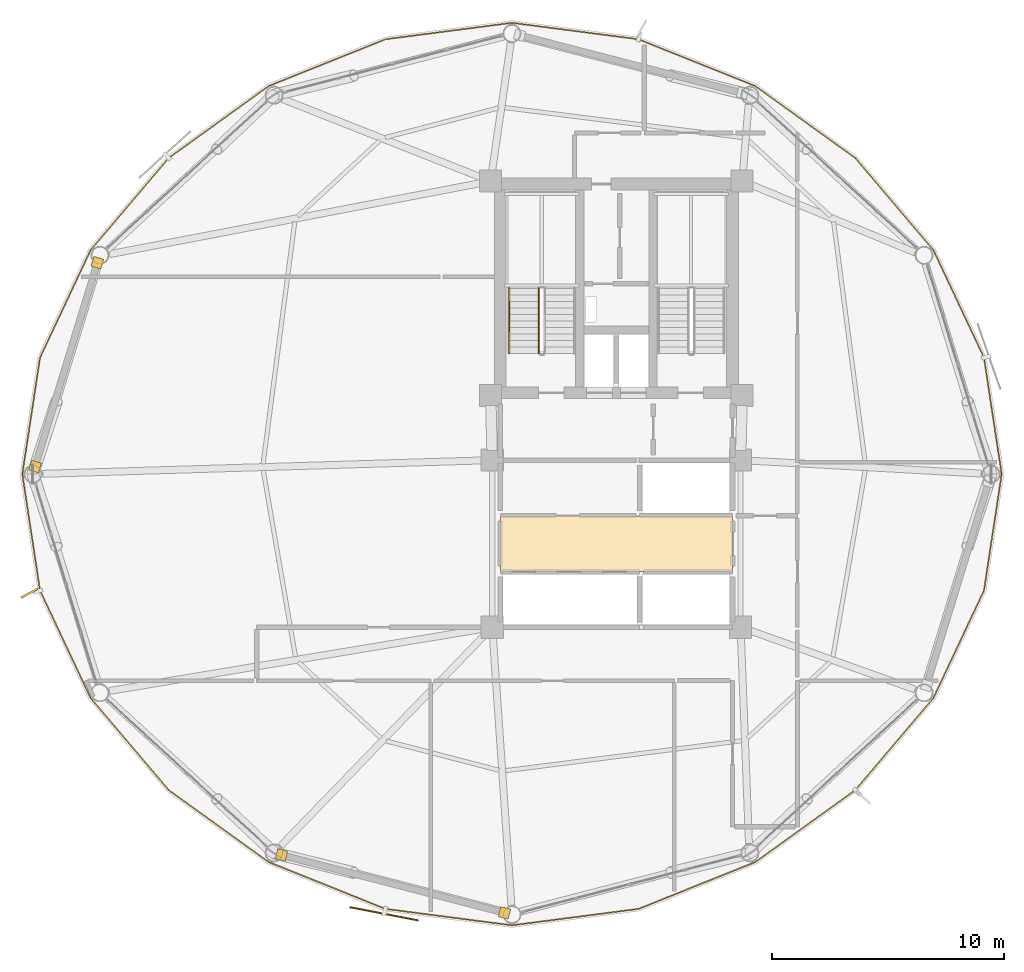
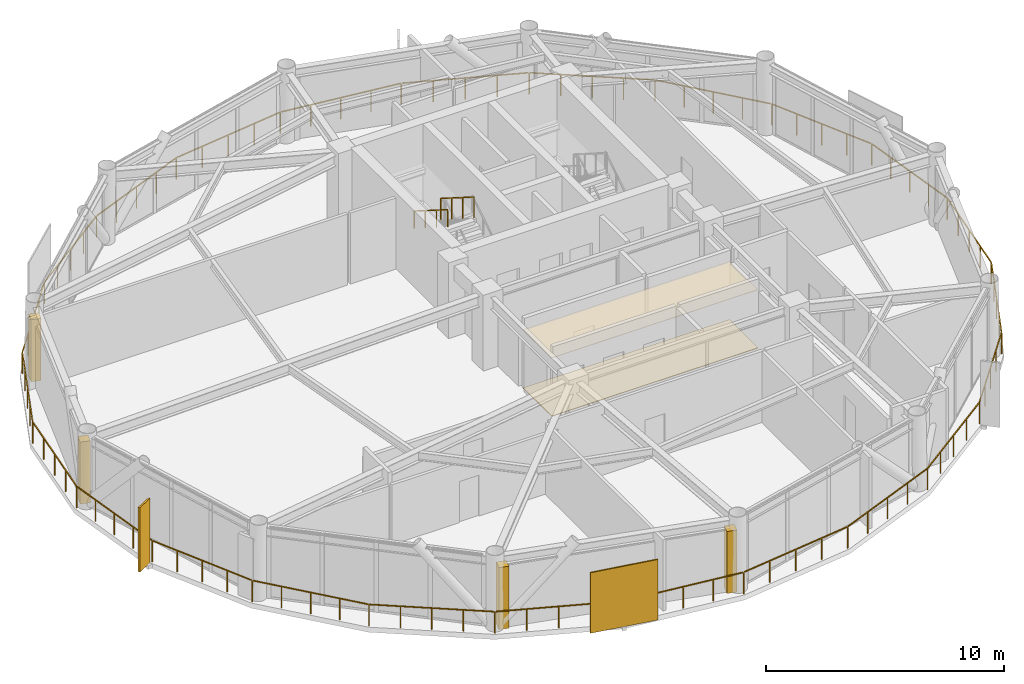
# One storey, part 23 of 25: 6 coverings, 3 railings, 2 shading devices.
"""IFC4 building model written with IfcOpenShell, lengths in metres."""

from ifc_helpers import new_model, si_unit, direction, frame, origin, origin_2d, place, context, subcontext, project, spatial, polyline, rectangle, outline, extrude, source, transform, mapped, material, layer, layer_set, type_object, type_shapes, element, save


model = new_model("IFC4")

# Units and contexts
model_context = context("Model", 3, precision=1e-05, world=origin(), true_north=direction((0.0, 1.0)))
body_context = subcontext(model_context, "Body", "Model", "MODEL_VIEW")
ifc_project = project(units=[si_unit("LENGTHUNIT", "METRE"), si_unit("AREAUNIT", "SQUARE_METRE"), si_unit("VOLUMEUNIT", "CUBIC_METRE"), si_unit("PLANEANGLEUNIT", "RADIAN"), si_unit("MASSUNIT", "GRAM", prefix="KILO")], contexts=[model_context])

# Site, building, storey
site_placement = place(None, origin())
site = spatial("IfcSite", under=ifc_project, at=site_placement, CompositionType="ELEMENT")
building_placement = place(site_placement, origin())
building = spatial("IfcBuilding", under=site, at=building_placement, Name="Varnakorn Sky Granary", CompositionType="ELEMENT")
storey_placement = place(building_placement, frame((0.0, 0.0, 157.800048828125)))
storey = spatial("IfcBuildingStorey", under=building, at=storey_placement, Name="L39", CompositionType="ELEMENT", Elevation=157.800048828125)

# Coverings
ifc_material_1 = material(Name="Perforated Acoustic Mineral-Fibre Ceiling", Category="gypsum")
ifc_layer_1 = layer(ifc_material_1, 0.02001953125, Name="Perforated Acoustic Mineral-Fibre Ceiling")
ifc_layer_set_1 = layer_set([ifc_layer_1], Name="Perforated Acoustic Mineral-Fibre Ceiling")
covering_type_1 = type_object("IfcCoveringType", Name="CV-CEIL-20", PredefinedType="CEILING", material=ifc_layer_set_1)
covering_1_placement = place(storey_placement, frame((0.0, 0.0, 2.989990234375)))
element("IfcCovering", 1, at=covering_1_placement, inside=storey, type_object=covering_type_1, Name="Lift Lobby Perforated Acoustic Ceiling L39", PredefinedType="CEILING", context=body_context, shape_type="SweptSolid", body=[
    extrude(outline(polyline([(-2.0, -4.199951171875), (8.0, -4.199951171875), (8.0, -1.800048828125), (-2.0, -1.800048828125), (-2.0, -4.199951171875)])), origin(), (0.0, 0.0, 1.0), 0.02001953125),
])
ifc_material_2 = material(Name="Honed Epoxy Terrazzo Topping", Category="concrete")
ifc_layer_2 = layer(ifc_material_2, 0.030029296875, Name="Honed Epoxy Terrazzo Topping")
ifc_layer_set_2 = layer_set([ifc_layer_2], Name="Honed Epoxy Terrazzo Topping")
covering_type_2 = type_object("IfcCoveringType", Name="CV-FLOR-30", PredefinedType="FLOORING", material=ifc_layer_set_2)
covering_2_placement = place(storey_placement, origin())
element("IfcCovering", 2, at=covering_2_placement, inside=storey, type_object=covering_type_2, Name="Lift Lobby Terrazzo Floor Finish L39", PredefinedType="FLOORING", context=body_context, shape_type="SweptSolid", body=[
    extrude(outline(polyline([(-2.0, -4.199951171875), (8.0, -4.199951171875), (8.0, -1.800048828125), (-2.0, -1.800048828125), (-2.0, -4.199951171875)])), origin(), (0.0, 0.0, 1.0), 0.030029296875),
])

# Railings
ifc_material_3 = material(Name="Anodised Bronze Aluminium Alloy 6063-T6", Category="aluminium")
railing_type_1 = type_object("IfcRailingType", Name="RL-BAL-1120", PredefinedType="BALUSTRADE", material=ifc_material_3)
railing_1_placement = place(storey_placement, frame((19.598876953125, 0.0, 0.0)))
element("IfcRailing", 3, at=railing_1_placement, inside=storey, type_object=railing_type_1, Name="Perimeter Slab-Edge Safety Guard L39", PredefinedType="BALUSTRADE", context=body_context, shape_type="SweptSolid", body=[
    extrude(rectangle(XDim=0.048095703125, YDim=0.048095703125, at=origin_2d()), frame((-0.004150390625, -0.027587890625, 1.09619140625), z_axis=(-0.150057632426, -0.988677251155, 0.0), x_axis=(0.988677251155, -0.150057632426, 0.0)), (0.0, 0.0, 1.0), 5.0185546875),
    extrude(rectangle(XDim=0.048095703125, YDim=0.048095703125, at=origin_2d()), frame((-0.7734375, -5.04248046875, 1.09619140625), z_axis=(-0.425721245528, -0.904854364584, 0.0), x_axis=(0.904854364584, -0.425721245528, 0.0)), (0.0, 0.0, 1.0), 5.0634765625),
    extrude(rectangle(XDim=0.048095703125, YDim=0.048095703125, at=origin_2d()), frame((-2.958984375, -9.670654296875, 1.09619140625), z_axis=(-0.646533270234, -0.762885791243, 0.0), x_axis=(0.762885791243, -0.646533270234, 0.0)), (0.0, 0.0, 1.0), 5.145751953125),
    extrude(rectangle(XDim=0.048095703125, YDim=0.048095703125, at=origin_2d()), frame((-6.32666015625, -13.634033203125, 1.09619140625), z_axis=(-0.811725247364, -0.584039487357, 0.0), x_axis=(0.584039487357, -0.811725247364, 0.0)), (0.0, 0.0, 1.0), 5.2548828125),
    extrude(rectangle(XDim=0.048095703125, YDim=0.048095703125, at=origin_2d()), frame((-10.640869140625, -16.72998046875, 1.09619140625), z_axis=(-0.92828406339, -0.371871883389, 0.0), x_axis=(0.371871883389, -0.92828406339, 0.0)), (0.0, 0.0, 1.0), 5.366943359375),
    extrude(rectangle(XDim=0.048095703125, YDim=0.048095703125, at=origin_2d()), frame((-15.6767578125, -18.73974609375, 1.09619140625), z_axis=(-0.991712257957, -0.128478781974, 0.0), x_axis=(0.128478781974, -0.991712257957, 0.0)), (0.0, 0.0, 1.0), 5.439453125),
    extrude(rectangle(XDim=0.048095703125, YDim=0.048095703125, at=origin_2d()), frame((-21.126708984375, -19.4384765625, 1.09619140625), z_axis=(-0.991712257957, 0.128478781974, 0.0), x_axis=(-0.128478781974, -0.991712257957, 0.0)), (0.0, 0.0, 1.0), 5.439453125),
    extrude(rectangle(XDim=0.048095703125, YDim=0.048095703125, at=origin_2d()), frame((-26.57470703125, -18.7255859375, 1.09619140625), z_axis=(-0.92828406339, 0.371871883389, 0.0), x_axis=(-0.371871883389, -0.92828406339, 0.0)), (0.0, 0.0, 1.0), 5.366943359375),
    extrude(rectangle(XDim=0.048095703125, YDim=0.048095703125, at=origin_2d()), frame((-31.60546875, -16.703125, 1.09619140625), z_axis=(-0.811725247364, 0.584039487357, 0.0), x_axis=(-0.584039487357, -0.811725247364, 0.0)), (0.0, 0.0, 1.0), 5.2548828125),
    extrude(rectangle(XDim=0.048095703125, YDim=0.048095703125, at=origin_2d()), frame((-35.911865234375, -13.596435546875, 1.09619140625), z_axis=(-0.646533270234, 0.762885791243, 0.0), x_axis=(-0.762885791243, -0.646533270234, 0.0)), (0.0, 0.0, 1.0), 5.145751953125),
    extrude(rectangle(XDim=0.048095703125, YDim=0.048095703125, at=origin_2d()), frame((-39.268798828125, -9.6240234375, 1.09619140625), z_axis=(-0.425721245528, 0.904854364584, 0.0), x_axis=(-0.904854364584, -0.425721245528, 0.0)), (0.0, 0.0, 1.0), 5.0634765625),
    extrude(rectangle(XDim=0.048095703125, YDim=0.048095703125, at=origin_2d()), frame((-41.4404296875, -4.989501953125, 1.09619140625), z_axis=(-0.150057632426, 0.988677251155, 0.0), x_axis=(-0.988677251155, -0.150057632426, 0.0)), (0.0, 0.0, 1.0), 5.0185546875),
    extrude(rectangle(XDim=0.048095703125, YDim=0.048095703125, at=origin_2d()), frame((-42.193603515625, 0.027587890625, 1.09619140625), z_axis=(0.150057632426, 0.988677251155, 0.0), x_axis=(-0.988677251155, 0.150057632426, 0.0)), (0.0, 0.0, 1.0), 5.0185546875),
    extrude(rectangle(XDim=0.048095703125, YDim=0.048095703125, at=origin_2d()), frame((-41.42431640625, 5.04248046875, 1.09619140625), z_axis=(0.425721245528, 0.904854364584, 0.0), x_axis=(-0.904854364584, 0.425721245528, 0.0)), (0.0, 0.0, 1.0), 5.0634765625),
    extrude(rectangle(XDim=0.048095703125, YDim=0.048095703125, at=origin_2d()), frame((-39.23876953125, 9.670654296875, 1.09619140625), z_axis=(0.646533270234, 0.762885791243, 0.0), x_axis=(-0.762885791243, 0.646533270234, 0.0)), (0.0, 0.0, 1.0), 5.145751953125),
    extrude(rectangle(XDim=0.048095703125, YDim=0.048095703125, at=origin_2d()), frame((-35.87109375, 13.634033203125, 1.09619140625), z_axis=(0.811725247364, 0.584039487357, 0.0), x_axis=(-0.584039487357, 0.811725247364, 0.0)), (0.0, 0.0, 1.0), 5.2548828125),
    extrude(rectangle(XDim=0.048095703125, YDim=0.048095703125, at=origin_2d()), frame((-31.556884765625, 16.72998046875, 1.09619140625), z_axis=(0.92828406339, 0.371871883389, 0.0), x_axis=(-0.371871883389, 0.92828406339, 0.0)), (0.0, 0.0, 1.0), 5.366943359375),
    extrude(rectangle(XDim=0.048095703125, YDim=0.048095703125, at=origin_2d()), frame((-26.52099609375, 18.73974609375, 1.09619140625), z_axis=(0.991712257957, 0.128478781974, 0.0), x_axis=(-0.128478781974, 0.991712257957, 0.0)), (0.0, 0.0, 1.0), 5.439453125),
    extrude(rectangle(XDim=0.048095703125, YDim=0.048095703125, at=origin_2d()), frame((-21.071044921875, 19.4384765625, 1.09619140625), z_axis=(0.991712257957, -0.128478781974, 0.0), x_axis=(0.128478781974, 0.991712257957, 0.0)), (0.0, 0.0, 1.0), 5.439453125),
    extrude(rectangle(XDim=0.048095703125, YDim=0.048095703125, at=origin_2d()), frame((-15.623046875, 18.7255859375, 1.09619140625), z_axis=(0.92828406339, -0.371871883389, 0.0), x_axis=(0.371871883389, 0.92828406339, 0.0)), (0.0, 0.0, 1.0), 5.366943359375),
    extrude(rectangle(XDim=0.048095703125, YDim=0.048095703125, at=origin_2d()), frame((-10.59228515625, 16.703125, 1.09619140625), z_axis=(0.811725247364, -0.584039487357, 0.0), x_axis=(0.584039487357, 0.811725247364, 0.0)), (0.0, 0.0, 1.0), 5.2548828125),
    extrude(rectangle(XDim=0.048095703125, YDim=0.048095703125, at=origin_2d()), frame((-6.285888671875, 13.596435546875, 1.09619140625), z_axis=(0.646533270234, -0.762885791243, 0.0), x_axis=(0.762885791243, 0.646533270234, 0.0)), (0.0, 0.0, 1.0), 5.145751953125),
    extrude(rectangle(XDim=0.048095703125, YDim=0.048095703125, at=origin_2d()), frame((-2.928955078125, 9.6240234375, 1.09619140625), z_axis=(0.425721245528, -0.904854364584, 0.0), x_axis=(0.904854364584, 0.425721245528, 0.0)), (0.0, 0.0, 1.0), 5.0634765625),
    extrude(rectangle(XDim=0.048095703125, YDim=0.048095703125, at=origin_2d()), frame((-0.75732421875, 4.989501953125, 1.09619140625), z_axis=(0.150057632426, -0.988677251155, 0.0), x_axis=(0.988677251155, 0.150057632426, 0.0)), (0.0, 0.0, 1.0), 5.0185546875),
    extrude(rectangle(XDim=0.0419921875, YDim=0.0419921875, at=origin_2d()), origin(), (0.0, 0.0, 1.0), 1.068115234375),
    extrude(rectangle(XDim=0.0419921875, YDim=0.0419921875, at=origin_2d()), frame((-0.1904296875, -1.25439453125, 0.0)), (0.0, 0.0, 1.0), 1.068115234375),
    extrude(rectangle(XDim=0.0419921875, YDim=0.0419921875, at=origin_2d()), frame((-0.380859375, -2.508544921875, 0.0)), (0.0, 0.0, 1.0), 1.068115234375),
    extrude(rectangle(XDim=0.0419921875, YDim=0.0419921875, at=origin_2d()), frame((-0.571044921875, -3.7626953125, 0.0)), (0.0, 0.0, 1.0), 1.068115234375),
    extrude(rectangle(XDim=0.0419921875, YDim=0.0419921875, at=origin_2d()), frame((-0.761474609375, -5.01708984375, 0.0)), (0.0, 0.0, 1.0), 1.068115234375),
    extrude(rectangle(XDim=0.0419921875, YDim=0.0419921875, at=origin_2d()), frame((-1.306396484375, -6.17529296875, 0.0)), (0.0, 0.0, 1.0), 1.068115234375),
    extrude(rectangle(XDim=0.0419921875, YDim=0.0419921875, at=origin_2d()), frame((-1.85107421875, -7.333251953125, 0.0)), (0.0, 0.0, 1.0), 1.068115234375),
    extrude(rectangle(XDim=0.0419921875, YDim=0.0419921875, at=origin_2d()), frame((-2.39599609375, -8.4912109375, 0.0)), (0.0, 0.0, 1.0), 1.068115234375),
    extrude(rectangle(XDim=0.0419921875, YDim=0.0419921875, at=origin_2d()), frame((-2.94091796875, -9.6494140625, 0.0)), (0.0, 0.0, 1.0), 1.068115234375),
    extrude(rectangle(XDim=0.0419921875, YDim=0.0419921875, at=origin_2d()), frame((-3.78173828125, -10.6416015625, 0.0)), (0.0, 0.0, 1.0), 1.068115234375),
    extrude(rectangle(XDim=0.0419921875, YDim=0.0419921875, at=origin_2d()), frame((-4.62255859375, -11.633544921875, 0.0)), (0.0, 0.0, 1.0), 1.068115234375),
    extrude(rectangle(XDim=0.0419921875, YDim=0.0419921875, at=origin_2d()), frame((-5.463134765625, -12.62548828125, 0.0)), (0.0, 0.0, 1.0), 1.068115234375),
    extrude(rectangle(XDim=0.0419921875, YDim=0.0419921875, at=origin_2d()), frame((-6.303955078125, -13.61767578125, 0.0)), (0.0, 0.0, 1.0), 1.068115234375),
    extrude(rectangle(XDim=0.0419921875, YDim=0.0419921875, at=origin_2d()), frame((-7.3818359375, -14.39306640625, 0.0)), (0.0, 0.0, 1.0), 1.068115234375),
    extrude(rectangle(XDim=0.0419921875, YDim=0.0419921875, at=origin_2d()), frame((-8.45947265625, -15.16845703125, 0.0)), (0.0, 0.0, 1.0), 1.068115234375),
    extrude(rectangle(XDim=0.0419921875, YDim=0.0419921875, at=origin_2d()), frame((-9.537109375, -15.944091796875, 0.0)), (0.0, 0.0, 1.0), 1.068115234375),
    extrude(rectangle(XDim=0.0419921875, YDim=0.0419921875, at=origin_2d()), frame((-10.614990234375, -16.719482421875, 0.0)), (0.0, 0.0, 1.0), 1.068115234375),
    extrude(rectangle(XDim=0.0419921875, YDim=0.0419921875, at=origin_2d()), frame((-11.87353515625, -17.2236328125, 0.0)), (0.0, 0.0, 1.0), 1.068115234375),
    extrude(rectangle(XDim=0.0419921875, YDim=0.0419921875, at=origin_2d()), frame((-13.1318359375, -17.727783203125, 0.0)), (0.0, 0.0, 1.0), 1.068115234375),
    extrude(rectangle(XDim=0.0419921875, YDim=0.0419921875, at=origin_2d()), frame((-14.390380859375, -18.23193359375, 0.0)), (0.0, 0.0, 1.0), 1.068115234375),
    extrude(rectangle(XDim=0.0419921875, YDim=0.0419921875, at=origin_2d()), frame((-15.64892578125, -18.736083984375, 0.0)), (0.0, 0.0, 1.0), 1.068115234375),
    extrude(rectangle(XDim=0.0419921875, YDim=0.0419921875, at=origin_2d()), frame((-17.011474609375, -18.91259765625, 0.0)), (0.0, 0.0, 1.0), 1.068115234375),
    extrude(rectangle(XDim=0.0419921875, YDim=0.0419921875, at=origin_2d()), frame((-18.3740234375, -19.089111328125, 0.0)), (0.0, 0.0, 1.0), 1.068115234375),
    extrude(rectangle(XDim=0.0419921875, YDim=0.0419921875, at=origin_2d()), frame((-19.736328125, -19.265625, 0.0)), (0.0, 0.0, 1.0), 1.068115234375),
    extrude(rectangle(XDim=0.0419921875, YDim=0.0419921875, at=origin_2d()), frame((-21.098876953125, -19.442138671875, 0.0)), (0.0, 0.0, 1.0), 1.068115234375),
    extrude(rectangle(XDim=0.0419921875, YDim=0.0419921875, at=origin_2d()), frame((-22.46142578125, -19.265625, 0.0)), (0.0, 0.0, 1.0), 1.068115234375),
    extrude(rectangle(XDim=0.0419921875, YDim=0.0419921875, at=origin_2d()), frame((-23.82373046875, -19.089111328125, 0.0)), (0.0, 0.0, 1.0), 1.068115234375),
    extrude(rectangle(XDim=0.0419921875, YDim=0.0419921875, at=origin_2d()), frame((-25.186279296875, -18.91259765625, 0.0)), (0.0, 0.0, 1.0), 1.068115234375),
    extrude(rectangle(XDim=0.0419921875, YDim=0.0419921875, at=origin_2d()), frame((-26.548828125, -18.736083984375, 0.0)), (0.0, 0.0, 1.0), 1.068115234375),
    extrude(rectangle(XDim=0.0419921875, YDim=0.0419921875, at=origin_2d()), frame((-27.807373046875, -18.23193359375, 0.0)), (0.0, 0.0, 1.0), 1.068115234375),
    extrude(rectangle(XDim=0.0419921875, YDim=0.0419921875, at=origin_2d()), frame((-29.06591796875, -17.727783203125, 0.0)), (0.0, 0.0, 1.0), 1.068115234375),
    extrude(rectangle(XDim=0.0419921875, YDim=0.0419921875, at=origin_2d()), frame((-30.32421875, -17.2236328125, 0.0)), (0.0, 0.0, 1.0), 1.068115234375),
    extrude(rectangle(XDim=0.0419921875, YDim=0.0419921875, at=origin_2d()), frame((-31.582763671875, -16.719482421875, 0.0)), (0.0, 0.0, 1.0), 1.068115234375),
    extrude(rectangle(XDim=0.0419921875, YDim=0.0419921875, at=origin_2d()), frame((-32.66064453125, -15.944091796875, 0.0)), (0.0, 0.0, 1.0), 1.068115234375),
    extrude(rectangle(XDim=0.0419921875, YDim=0.0419921875, at=origin_2d()), frame((-33.73828125, -15.16845703125, 0.0)), (0.0, 0.0, 1.0), 1.068115234375),
    extrude(rectangle(XDim=0.0419921875, YDim=0.0419921875, at=origin_2d()), frame((-34.81591796875, -14.39306640625, 0.0)), (0.0, 0.0, 1.0), 1.068115234375),
    extrude(rectangle(XDim=0.0419921875, YDim=0.0419921875, at=origin_2d()), frame((-35.893798828125, -13.61767578125, 0.0)), (0.0, 0.0, 1.0), 1.068115234375),
    extrude(rectangle(XDim=0.0419921875, YDim=0.0419921875, at=origin_2d()), frame((-36.734619140625, -12.62548828125, 0.0)), (0.0, 0.0, 1.0), 1.068115234375),
    extrude(rectangle(XDim=0.0419921875, YDim=0.0419921875, at=origin_2d()), frame((-37.5751953125, -11.633544921875, 0.0)), (0.0, 0.0, 1.0), 1.068115234375),
    extrude(rectangle(XDim=0.0419921875, YDim=0.0419921875, at=origin_2d()), frame((-38.416015625, -10.6416015625, 0.0)), (0.0, 0.0, 1.0), 1.068115234375),
    extrude(rectangle(XDim=0.0419921875, YDim=0.0419921875, at=origin_2d()), frame((-39.2568359375, -9.6494140625, 0.0)), (0.0, 0.0, 1.0), 1.068115234375),
    extrude(rectangle(XDim=0.0419921875, YDim=0.0419921875, at=origin_2d()), frame((-39.8017578125, -8.4912109375, 0.0)), (0.0, 0.0, 1.0), 1.068115234375),
    extrude(rectangle(XDim=0.0419921875, YDim=0.0419921875, at=origin_2d()), frame((-40.3466796875, -7.333251953125, 0.0)), (0.0, 0.0, 1.0), 1.068115234375),
    extrude(rectangle(XDim=0.0419921875, YDim=0.0419921875, at=origin_2d()), frame((-40.891357421875, -6.17529296875, 0.0)), (0.0, 0.0, 1.0), 1.068115234375),
    extrude(rectangle(XDim=0.0419921875, YDim=0.0419921875, at=origin_2d()), frame((-41.436279296875, -5.01708984375, 0.0)), (0.0, 0.0, 1.0), 1.068115234375),
    extrude(rectangle(XDim=0.0419921875, YDim=0.0419921875, at=origin_2d()), frame((-41.626708984375, -3.7626953125, 0.0)), (0.0, 0.0, 1.0), 1.068115234375),
    extrude(rectangle(XDim=0.0419921875, YDim=0.0419921875, at=origin_2d()), frame((-41.81689453125, -2.508544921875, 0.0)), (0.0, 0.0, 1.0), 1.068115234375),
    extrude(rectangle(XDim=0.0419921875, YDim=0.0419921875, at=origin_2d()), frame((-42.00732421875, -1.25439453125, 0.0)), (0.0, 0.0, 1.0), 1.068115234375),
    extrude(rectangle(XDim=0.0419921875, YDim=0.0419921875, at=origin_2d()), frame((-42.19775390625, 0.0, 0.0)), (0.0, 0.0, 1.0), 1.068115234375),
    extrude(rectangle(XDim=0.0419921875, YDim=0.0419921875, at=origin_2d()), frame((-42.00732421875, 1.25439453125, 0.0)), (0.0, 0.0, 1.0), 1.068115234375),
    extrude(rectangle(XDim=0.0419921875, YDim=0.0419921875, at=origin_2d()), frame((-41.81689453125, 2.508544921875, 0.0)), (0.0, 0.0, 1.0), 1.068115234375),
    extrude(rectangle(XDim=0.0419921875, YDim=0.0419921875, at=origin_2d()), frame((-41.626708984375, 3.7626953125, 0.0)), (0.0, 0.0, 1.0), 1.068115234375),
    extrude(rectangle(XDim=0.0419921875, YDim=0.0419921875, at=origin_2d()), frame((-41.436279296875, 5.01708984375, 0.0)), (0.0, 0.0, 1.0), 1.068115234375),
    extrude(rectangle(XDim=0.0419921875, YDim=0.0419921875, at=origin_2d()), frame((-40.891357421875, 6.17529296875, 0.0)), (0.0, 0.0, 1.0), 1.068115234375),
    extrude(rectangle(XDim=0.0419921875, YDim=0.0419921875, at=origin_2d()), frame((-40.3466796875, 7.333251953125, 0.0)), (0.0, 0.0, 1.0), 1.068115234375),
    extrude(rectangle(XDim=0.0419921875, YDim=0.0419921875, at=origin_2d()), frame((-39.8017578125, 8.4912109375, 0.0)), (0.0, 0.0, 1.0), 1.068115234375),
    extrude(rectangle(XDim=0.0419921875, YDim=0.0419921875, at=origin_2d()), frame((-39.2568359375, 9.6494140625, 0.0)), (0.0, 0.0, 1.0), 1.068115234375),
    extrude(rectangle(XDim=0.0419921875, YDim=0.0419921875, at=origin_2d()), frame((-38.416015625, 10.6416015625, 0.0)), (0.0, 0.0, 1.0), 1.068115234375),
    extrude(rectangle(XDim=0.0419921875, YDim=0.0419921875, at=origin_2d()), frame((-37.5751953125, 11.633544921875, 0.0)), (0.0, 0.0, 1.0), 1.068115234375),
    extrude(rectangle(XDim=0.0419921875, YDim=0.0419921875, at=origin_2d()), frame((-36.734619140625, 12.62548828125, 0.0)), (0.0, 0.0, 1.0), 1.068115234375),
    extrude(rectangle(XDim=0.0419921875, YDim=0.0419921875, at=origin_2d()), frame((-35.893798828125, 13.61767578125, 0.0)), (0.0, 0.0, 1.0), 1.068115234375),
    extrude(rectangle(XDim=0.0419921875, YDim=0.0419921875, at=origin_2d()), frame((-34.81591796875, 14.39306640625, 0.0)), (0.0, 0.0, 1.0), 1.068115234375),
    extrude(rectangle(XDim=0.0419921875, YDim=0.0419921875, at=origin_2d()), frame((-33.73828125, 15.16845703125, 0.0)), (0.0, 0.0, 1.0), 1.068115234375),
    extrude(rectangle(XDim=0.0419921875, YDim=0.0419921875, at=origin_2d()), frame((-32.66064453125, 15.944091796875, 0.0)), (0.0, 0.0, 1.0), 1.068115234375),
    extrude(rectangle(XDim=0.0419921875, YDim=0.0419921875, at=origin_2d()), frame((-31.582763671875, 16.719482421875, 0.0)), (0.0, 0.0, 1.0), 1.068115234375),
    extrude(rectangle(XDim=0.0419921875, YDim=0.0419921875, at=origin_2d()), frame((-30.32421875, 17.2236328125, 0.0)), (0.0, 0.0, 1.0), 1.068115234375),
    extrude(rectangle(XDim=0.0419921875, YDim=0.0419921875, at=origin_2d()), frame((-29.06591796875, 17.727783203125, 0.0)), (0.0, 0.0, 1.0), 1.068115234375),
    extrude(rectangle(XDim=0.0419921875, YDim=0.0419921875, at=origin_2d()), frame((-27.807373046875, 18.23193359375, 0.0)), (0.0, 0.0, 1.0), 1.068115234375),
    extrude(rectangle(XDim=0.0419921875, YDim=0.0419921875, at=origin_2d()), frame((-26.548828125, 18.736083984375, 0.0)), (0.0, 0.0, 1.0), 1.068115234375),
    extrude(rectangle(XDim=0.0419921875, YDim=0.0419921875, at=origin_2d()), frame((-25.186279296875, 18.91259765625, 0.0)), (0.0, 0.0, 1.0), 1.068115234375),
    extrude(rectangle(XDim=0.0419921875, YDim=0.0419921875, at=origin_2d()), frame((-23.82373046875, 19.089111328125, 0.0)), (0.0, 0.0, 1.0), 1.068115234375),
    extrude(rectangle(XDim=0.0419921875, YDim=0.0419921875, at=origin_2d()), frame((-22.46142578125, 19.265625, 0.0)), (0.0, 0.0, 1.0), 1.068115234375),
    extrude(rectangle(XDim=0.0419921875, YDim=0.0419921875, at=origin_2d()), frame((-21.098876953125, 19.442138671875, 0.0)), (0.0, 0.0, 1.0), 1.068115234375),
    extrude(rectangle(XDim=0.0419921875, YDim=0.0419921875, at=origin_2d()), frame((-19.736328125, 19.265625, 0.0)), (0.0, 0.0, 1.0), 1.068115234375),
    extrude(rectangle(XDim=0.0419921875, YDim=0.0419921875, at=origin_2d()), frame((-18.3740234375, 19.089111328125, 0.0)), (0.0, 0.0, 1.0), 1.068115234375),
    extrude(rectangle(XDim=0.0419921875, YDim=0.0419921875, at=origin_2d()), frame((-17.011474609375, 18.91259765625, 0.0)), (0.0, 0.0, 1.0), 1.068115234375),
    extrude(rectangle(XDim=0.0419921875, YDim=0.0419921875, at=origin_2d()), frame((-15.64892578125, 18.736083984375, 0.0)), (0.0, 0.0, 1.0), 1.068115234375),
    extrude(rectangle(XDim=0.0419921875, YDim=0.0419921875, at=origin_2d()), frame((-14.390380859375, 18.23193359375, 0.0)), (0.0, 0.0, 1.0), 1.068115234375),
    extrude(rectangle(XDim=0.0419921875, YDim=0.0419921875, at=origin_2d()), frame((-13.1318359375, 17.727783203125, 0.0)), (0.0, 0.0, 1.0), 1.068115234375),
    extrude(rectangle(XDim=0.0419921875, YDim=0.0419921875, at=origin_2d()), frame((-11.87353515625, 17.2236328125, 0.0)), (0.0, 0.0, 1.0), 1.068115234375),
    extrude(rectangle(XDim=0.0419921875, YDim=0.0419921875, at=origin_2d()), frame((-10.614990234375, 16.719482421875, 0.0)), (0.0, 0.0, 1.0), 1.068115234375),
    extrude(rectangle(XDim=0.0419921875, YDim=0.0419921875, at=origin_2d()), frame((-9.537109375, 15.944091796875, 0.0)), (0.0, 0.0, 1.0), 1.068115234375),
    extrude(rectangle(XDim=0.0419921875, YDim=0.0419921875, at=origin_2d()), frame((-8.45947265625, 15.16845703125, 0.0)), (0.0, 0.0, 1.0), 1.068115234375),
    extrude(rectangle(XDim=0.0419921875, YDim=0.0419921875, at=origin_2d()), frame((-7.3818359375, 14.39306640625, 0.0)), (0.0, 0.0, 1.0), 1.068115234375),
    extrude(rectangle(XDim=0.0419921875, YDim=0.0419921875, at=origin_2d()), frame((-6.303955078125, 13.61767578125, 0.0)), (0.0, 0.0, 1.0), 1.068115234375),
    extrude(rectangle(XDim=0.0419921875, YDim=0.0419921875, at=origin_2d()), frame((-5.463134765625, 12.62548828125, 0.0)), (0.0, 0.0, 1.0), 1.068115234375),
    extrude(rectangle(XDim=0.0419921875, YDim=0.0419921875, at=origin_2d()), frame((-4.62255859375, 11.633544921875, 0.0)), (0.0, 0.0, 1.0), 1.068115234375),
    extrude(rectangle(XDim=0.0419921875, YDim=0.0419921875, at=origin_2d()), frame((-3.78173828125, 10.6416015625, 0.0)), (0.0, 0.0, 1.0), 1.068115234375),
    extrude(rectangle(XDim=0.0419921875, YDim=0.0419921875, at=origin_2d()), frame((-2.94091796875, 9.6494140625, 0.0)), (0.0, 0.0, 1.0), 1.068115234375),
    extrude(rectangle(XDim=0.0419921875, YDim=0.0419921875, at=origin_2d()), frame((-2.39599609375, 8.4912109375, 0.0)), (0.0, 0.0, 1.0), 1.068115234375),
    extrude(rectangle(XDim=0.0419921875, YDim=0.0419921875, at=origin_2d()), frame((-1.85107421875, 7.333251953125, 0.0)), (0.0, 0.0, 1.0), 1.068115234375),
    extrude(rectangle(XDim=0.0419921875, YDim=0.0419921875, at=origin_2d()), frame((-1.306396484375, 6.17529296875, 0.0)), (0.0, 0.0, 1.0), 1.068115234375),
    extrude(rectangle(XDim=0.0419921875, YDim=0.0419921875, at=origin_2d()), frame((-0.761474609375, 5.01708984375, 0.0)), (0.0, 0.0, 1.0), 1.068115234375),
    extrude(rectangle(XDim=0.0419921875, YDim=0.0419921875, at=origin_2d()), frame((-0.571044921875, 3.7626953125, 0.0)), (0.0, 0.0, 1.0), 1.068115234375),
    extrude(rectangle(XDim=0.0419921875, YDim=0.0419921875, at=origin_2d()), frame((-0.380859375, 2.508544921875, 0.0)), (0.0, 0.0, 1.0), 1.068115234375),
    extrude(rectangle(XDim=0.0419921875, YDim=0.0419921875, at=origin_2d()), frame((-0.1904296875, 1.25439453125, 0.0)), (0.0, 0.0, 1.0), 1.068115234375),
])
ifc_material_4 = material(Name="Brushed Stainless Steel 316", Category="steel")
railing_type_2 = type_object("IfcRailingType", Name="RL-STAIR-1100", PredefinedType="GUARDRAIL", material=ifc_material_4)
railing_2_placement = place(storey_placement, frame((-0.340087890625, 8.0, 2.127197265625)))
element("IfcRailing", 4, at=railing_2_placement, inside=storey, type_object=railing_type_2, Name="L39 ST-1 stair guard 3", PredefinedType="GUARDRAIL", context=body_context, shape_type="SweptSolid", body=[
    extrude(rectangle(XDim=0.048095703125, YDim=0.048095703125, at=origin_2d()), frame((0.0, 0.0, 1.076171875), z_axis=(0.0, -0.844908973607, 0.534910110503), x_axis=(1.0, 0.0, 0.0)), (0.0, 0.0, 1.0), 3.31396484375),
    extrude(rectangle(XDim=0.0419921875, YDim=0.0419921875, at=origin_2d()), origin(), (0.0, 0.0, 1.0), 1.048095703125),
    extrude(rectangle(XDim=0.0419921875, YDim=0.0419921875, at=origin_2d()), frame((0.0, -0.933349609375, 0.5908203125)), (0.0, 0.0, 1.0), 1.048095703125),
    extrude(rectangle(XDim=0.0419921875, YDim=0.0419921875, at=origin_2d()), frame((0.0, -1.86669921875, 1.181884765625)), (0.0, 0.0, 1.0), 1.048095703125),
    extrude(rectangle(XDim=0.0419921875, YDim=0.0419921875, at=origin_2d()), frame((0.0, -2.800048828125, 1.772705078125)), (0.0, 0.0, 1.0), 1.048095703125),
])
railing_type_3 = type_object("IfcRailingType", Name="RL-STAIR-920", PredefinedType="HANDRAIL", material=ifc_material_4)
railing_3_placement = place(storey_placement, frame((-1.6201171875, 8.0, 2.127197265625)))
element("IfcRailing", 5, at=railing_3_placement, inside=storey, type_object=railing_type_3, Name="L39 ST-1 stair handrail 2", PredefinedType="HANDRAIL", context=body_context, shape_type="SweptSolid", body=[
    extrude(rectangle(XDim=0.048095703125, YDim=0.048095703125, at=origin_2d()), frame((0.0, 0.0, 0.8759765625), z_axis=(0.0, -0.844908973607, 0.534910110503), x_axis=(1.0, 0.0, 0.0)), (0.0, 0.0, 1.0), 3.31396484375),
    extrude(rectangle(XDim=0.0419921875, YDim=0.0419921875, at=origin_2d()), origin(), (0.0, 0.0, 1.0), 0.847900390625),
    extrude(rectangle(XDim=0.0419921875, YDim=0.0419921875, at=origin_2d()), frame((0.0, -0.933349609375, 0.5908203125)), (0.0, 0.0, 1.0), 0.847900390625),
    extrude(rectangle(XDim=0.0419921875, YDim=0.0419921875, at=origin_2d()), frame((0.0, -1.86669921875, 1.181884765625)), (0.0, 0.0, 1.0), 0.847900390625),
    extrude(rectangle(XDim=0.0419921875, YDim=0.0419921875, at=origin_2d()), frame((0.0, -2.800048828125, 1.772705078125)), (0.0, 0.0, 1.0), 0.847900390625),
])

# Shading devices
shading_device_type_1 = type_object("IfcShadingDeviceType", Name="SH-SCR-02", PredefinedType="USERDEFINED", material=ifc_material_3)
shared_shape_1 = source(origin(), body_context, "Body", "SweptSolid", [
    extrude(rectangle(XDim=3.0, YDim=0.06494140625, at=origin_2d()), origin(), (0.0, 0.0, 1.0), 3.10009765625),
])
type_shapes(shading_device_type_1, [shared_shape_1])
shading_device_1_placement = place(storey_placement, frame((-7.01123046875, -18.947998046875, -0.0400390625), z_axis=(0.0, 0.0, 1.0), x_axis=(0.981734271106, -0.190257249366, 0.0)))
element("IfcShadingDevice", 6, at=shading_device_1_placement, inside=storey, type_object=shading_device_type_1, Name="Perforated Bronze Solar Screen Panel SCREEN L39-09", ObjectType="SCREEN", PredefinedType="USERDEFINED", context=body_context, shape_type="MappedRepresentation", body=[
    mapped(shared_shape_1, transform((0.0, 0.0, 0.0), x_axis=(1.0, 0.0, 0.0), y_axis=(0.0, 1.0, 0.0), z_axis=(0.0, 0.0, 1.0), scale=1.0)),
])
shading_device_type_2 = type_object("IfcShadingDeviceType", Name="SH-FIN-02", PredefinedType="USERDEFINED", material=ifc_material_3)
shared_shape_2 = source(origin(), body_context, "Body", "SweptSolid", [
    extrude(rectangle(XDim=0.0849609375, YDim=0.820068359375, at=origin_2d()), origin(), (0.0, 0.0, 1.0), 3.300048828125),
])
type_shapes(shading_device_type_2, [shared_shape_2])
shading_device_2_placement = place(storey_placement, frame((-22.2939453125, -5.1328125, -0.0400390625), z_axis=(0.0, 0.0, 1.0), x_axis=(0.469903590509, -0.882717744031, 0.0)))
element("IfcShadingDevice", 7, at=shading_device_2_placement, inside=storey, type_object=shading_device_type_2, Name="Bronze Solar-Tracking Vertical Blade FIN L39-07", ObjectType="FIN", PredefinedType="USERDEFINED", context=body_context, shape_type="MappedRepresentation", body=[
    mapped(shared_shape_2, transform((0.0, 0.0, 0.0), x_axis=(1.0, 0.0, 0.0), y_axis=(0.0, 1.0, 0.0), z_axis=(0.0, 0.0, 1.0), scale=1.0)),
])

# Coverings
ifc_layer_3 = layer(ifc_material_3, 0.050048828125, Name="Anodised Bronze Aluminium Alloy 6063-T6")
ifc_layer_set_3 = layer_set([ifc_layer_3], Name="Anodised Bronze Aluminium Alloy 6063-T6")
covering_type_3 = type_object("IfcCoveringType", Name="CV-CLAD-50", PredefinedType="CLADDING", material=ifc_layer_set_3)
shared_shape_3 = source(origin(), body_context, "Body", "SweptSolid", [
    extrude(rectangle(XDim=0.43994140625, YDim=0.43994140625, at=origin_2d()), origin(), (0.0, 0.0, 1.0), 3.179931640625),
])
type_shapes(covering_type_3, [shared_shape_3])
for number, where, z_axis, x_axis, name in (
    (8, (-22.0517578125, 0.3212890625, -0.02001953125), (0.0, 0.0, 1.0), (0.292371704723, 0.956304755963, 0.0), "Bronze Corner Pilaster Closure L39-P06-A"),
    (9, (-19.36474609375, 9.107666015625, -0.02001953125), (0.0, 0.0, 1.0), (0.292371704723, 0.956304755963, 0.0), "Bronze Corner Pilaster Closure L39-P06-B"),
    (10, (-1.8251953125, -18.90869140625, -0.02001953125), (0.0, 0.0, 1.0), (-0.96792877399, 0.251224776808, 0.0), "Bronze Corner Pilaster Closure L39-P09-A"),
    (11, (-11.432373046875, -16.416015625, -0.02001953125), (0.0, 0.0, 1.0), (-0.96792877399, 0.251224776808, 0.0), "Bronze Corner Pilaster Closure L39-P09-B"),
):
    element("IfcCovering", number, at=place(storey_placement, frame(where, z_axis=z_axis, x_axis=x_axis)), inside=storey, type_object=covering_type_3, Name=name, PredefinedType="CLADDING", context=body_context, shape_type="MappedRepresentation", body=[
        mapped(shared_shape_3, transform((0.0, 0.0, 0.0), x_axis=(1.0, 0.0, 0.0), y_axis=(0.0, 1.0, 0.0), z_axis=(0.0, 0.0, 1.0), scale=1.0)),
    ])

save(model, "model.ifc")
